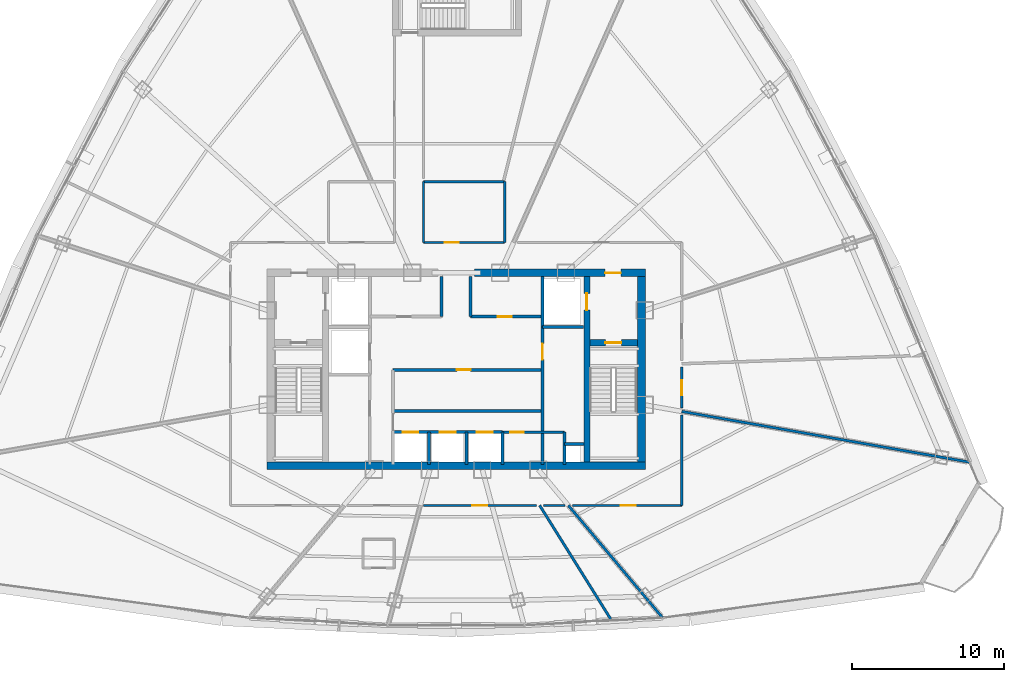
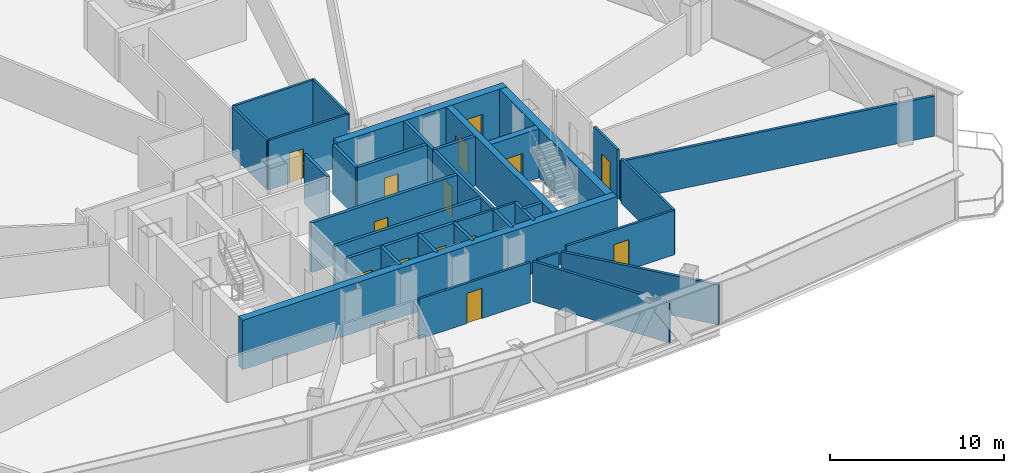
# One storey, part 31 of 37: 32 walls, 14 doors, 14 openings.
"""IFC4 building model written with IfcOpenShell, lengths in metres."""

import ifcopenshell
import ifcopenshell.guid

model = None  # the IFC model being written
_history = None  # IfcOwnerHistory: only IFC2X3 demands one
_inside = {}  # id of a spatial element -> (the spatial element, [elements in it])
_under = {}  # id of a project, library or spatial element -> (it, [spatial elements below it])
_declared = {}  # id of a project -> (the project, [libraries it declares])
_typed = {}  # id of a type object -> (the type object, [elements of that type])
_made_of = {}  # id of a material, layer set ... -> (it, [elements and type objects made of it])


def new_model(schema):
    """Start an empty IFC model of exactly this schema.

    Asked for "IFC4X3", IfcOpenShell would pick the latest addendum, in which some entities
    have other attributes; the version numbers below select the first issue.
    IFC2X3 requires an IfcOwnerHistory on every rooted entity: one is made here for all.
    """
    global model, _history
    if schema == "IFC4X3":
        model = ifcopenshell.file(schema_version=(4, 3, 0, 0))
    else:
        model = ifcopenshell.file(schema=schema)
    _inside.clear()
    _under.clear()
    _declared.clear()
    _typed.clear()
    _made_of.clear()
    _history = None
    if model.schema == "IFC2X3":
        org = make("IfcOrganization", Name="unknown")
        user = make(
            "IfcPersonAndOrganization",
            ThePerson=make("IfcPerson", FamilyName="unknown"),
            TheOrganization=org,
        )
        app = make(
            "IfcApplication",
            ApplicationDeveloper=org,
            Version="unknown",
            ApplicationFullName="unknown",
            ApplicationIdentifier="unknown",
        )
        _history = make(
            "IfcOwnerHistory",
            OwningUser=user,
            OwningApplication=app,
            ChangeAction="ADDED",
            CreationDate=0,
        )
    return model


def make(cls, **values):
    """One entity of the class cls with the attributes given. An attribute that is None is left unset."""
    return model.create_entity(
        cls, **{name: value for name, value in values.items() if value is not None}
    )


def rooted(cls, **values):
    """An entity with a GlobalId (a new one), such as an element, a storey or a relation."""
    return make(cls, GlobalId=ifcopenshell.guid.new(), OwnerHistory=_history, **values)


def si_unit(unit_type, name, prefix=None):
    """IfcSIUnit, for example si_unit("LENGTHUNIT", "METRE", prefix="MILLI")."""
    return make("IfcSIUnit", UnitType=unit_type, Prefix=prefix, Name=name)


def assignment(units):
    """IfcUnitAssignment: the units of a project."""
    return None if units is None else make("IfcUnitAssignment", Units=units)


def point(xyz):
    """IfcCartesianPoint."""
    return None if xyz is None else make("IfcCartesianPoint", Coordinates=xyz)


def direction(xyz):
    """IfcDirection."""
    return None if xyz is None else make("IfcDirection", DirectionRatios=xyz)


def frame(location, z_axis=None, x_axis=None):
    """IfcAxis2Placement3D, a coordinate frame: its origin and axes. An axis left out is left unset."""
    return make(
        "IfcAxis2Placement3D",
        Location=point(location),
        Axis=direction(z_axis),
        RefDirection=direction(x_axis),
    )


def frame_2d(location, x_axis=None):
    """IfcAxis2Placement2D, a coordinate frame in the plane: its origin and x axis."""
    return make(
        "IfcAxis2Placement2D", Location=point(location), RefDirection=direction(x_axis)
    )


def origin():
    """The frame at (0, 0, 0) with its axes left unset."""
    return frame((0.0, 0.0, 0.0))


def origin_with_axes():
    """The frame at (0, 0, 0) with the z axis (0, 0, 1) and the x axis (1, 0, 0) written out."""
    return frame((0.0, 0.0, 0.0), z_axis=(0.0, 0.0, 1.0), x_axis=(1.0, 0.0, 0.0))


def place(relative_to, where):
    """IfcLocalPlacement: puts the frame where relative to a parent placement (None: the world)."""
    return make(
        "IfcLocalPlacement", PlacementRelTo=relative_to, RelativePlacement=where
    )


def context(
    kind, dimensions, precision=None, world=None, true_north=None, identifier=None
):
    """IfcGeometricRepresentationContext, for example the 3D "Model" context."""
    return make(
        "IfcGeometricRepresentationContext",
        ContextIdentifier=identifier,
        ContextType=kind,
        CoordinateSpaceDimension=dimensions,
        Precision=precision,
        WorldCoordinateSystem=world,
        TrueNorth=true_north,
    )


def subcontext(parent, identifier, kind, view, scale=None):
    """IfcGeometricRepresentationSubContext, for example "Body" below "Model"."""
    return make(
        "IfcGeometricRepresentationSubContext",
        ContextIdentifier=identifier,
        ContextType=kind,
        ParentContext=parent,
        TargetScale=scale,
        TargetView=view,
    )


def project(units=None, contexts=None):
    """IfcProject with its units and contexts."""
    return rooted(
        "IfcProject",
        Name="project",
        RepresentationContexts=contexts,
        UnitsInContext=assignment(units),
    )


def spatial(cls, under=None, at=None, **own):
    """A site, building, storey or space (cls), placed at a placement, below another one or the project."""
    s = rooted(cls, ObjectPlacement=at, **own)
    if under is not None:
        _under.setdefault(under.id(), (under, []))[1].append(s)
    return s


def profile(cls, at=None, kind="AREA", **sizes):
    """A parametric profile (cls). Its sizes go by their IFC names, for example OverallWidth=200.0."""
    return make(cls, ProfileType=kind, Position=at, **sizes)


def rectangle(**sizes):
    """IfcRectangleProfileDef."""
    return profile("IfcRectangleProfileDef", **sizes)


def extrude(swept, where, along, depth):
    """IfcExtrudedAreaSolid: the profile swept, set in the frame where, extruded along a direction by depth."""
    return make(
        "IfcExtrudedAreaSolid",
        SweptArea=swept,
        Position=where,
        ExtrudedDirection=direction(along),
        Depth=depth,
    )


def shape(context_of_items, identifier, shape_type, items):
    """IfcShapeRepresentation: the items that make up one representation, for example the "Body"."""
    return make(
        "IfcShapeRepresentation",
        ContextOfItems=context_of_items,
        RepresentationIdentifier=identifier,
        RepresentationType=shape_type,
        Items=items,
    )


def source(mapping_origin, context_of_items, identifier, shape_type, items):
    """IfcRepresentationMap: a shape defined once, which mapped items show again and again."""
    return make(
        "IfcRepresentationMap",
        MappingOrigin=mapping_origin,
        MappedRepresentation=shape(context_of_items, identifier, shape_type, items),
    )


def transform(
    local_origin,
    x_axis=None,
    y_axis=None,
    z_axis=None,
    scale=None,
    scale2=None,
    scale3=None,
    uniform=True,
):
    """IfcCartesianTransformationOperator3D, or its non-uniform kind. x_axis, y_axis, z_axis: its Axis1, 2, 3."""
    if uniform:
        return make(
            "IfcCartesianTransformationOperator3D",
            Axis1=direction(x_axis),
            Axis2=direction(y_axis),
            LocalOrigin=point(local_origin),
            Scale=scale,
            Axis3=direction(z_axis),
        )
    return make(
        "IfcCartesianTransformationOperator3DnonUniform",
        Axis1=direction(x_axis),
        Axis2=direction(y_axis),
        LocalOrigin=point(local_origin),
        Scale=scale,
        Axis3=direction(z_axis),
        Scale2=scale2,
        Scale3=scale3,
    )


def mapped(mapping_source, mapping_target):
    """IfcMappedItem: shows the shape of a source again, moved by a transform."""
    return make(
        "IfcMappedItem", MappingSource=mapping_source, MappingTarget=mapping_target
    )


def material(Name=None, Category=None):
    """IfcMaterial."""
    return make("IfcMaterial", Name=Name, Category=Category)


def layer(
    of_material, thickness, ventilated=None, Name=None, Category=None, Priority=None
):
    """IfcMaterialLayer: one layer of a wall or slab, of a material (None: an air gap)."""
    return make(
        "IfcMaterialLayer",
        Material=of_material,
        LayerThickness=thickness,
        IsVentilated=ventilated,
        Name=Name,
        Category=Category,
        Priority=Priority,
    )


def layer_set(layers, Name=None):
    """IfcMaterialLayerSet."""
    return make("IfcMaterialLayerSet", MaterialLayers=layers, LayerSetName=Name)


def made_of(thing, what):
    """Note that an element or type object is made of a material, layer set ...; save() writes the relation."""
    if what is not None:
        _made_of.setdefault(what.id(), (what, []))[1].append(thing)
    return thing


def type_object(cls, material=None, **own):
    """A type object (cls), such as IfcWallType, which elements share."""
    return made_of(rooted(cls, **own), material)


def element(
    cls,
    number,
    at=None,
    inside=None,
    cuts=None,
    type_object=None,
    material=None,
    context=None,
    identifier="Body",
    shape_type=None,
    held_by="IfcProductDefinitionShape",
    body=None,
    shapes=None,
    **own,
):
    """One element of the class cls, such as IfcWall. Its Tag is "e" and its number.

    at: its placement. inside: the storey or other place that contains it. cuts: it is an
    opening in that element (IfcRelVoidsElement). A single representation is given by context,
    identifier, shape_type and body (its items); several are given by shapes. held_by: the class
    of the entity that holds the representations. save() writes the other relations.
    """
    e = rooted(cls, Tag="e%d" % number, ObjectPlacement=at, **own)
    if body is not None:
        shapes = [shape(context, identifier, shape_type, body)]
    if shapes is not None:
        e.Representation = make(held_by, Representations=shapes)
    if inside is not None:
        _inside.setdefault(inside.id(), (inside, []))[1].append(e)
    if cuts is not None:
        rooted(
            "IfcRelVoidsElement", RelatingBuildingElement=cuts, RelatedOpeningElement=e
        )
    if type_object is not None:
        _typed.setdefault(type_object.id(), (type_object, []))[1].append(e)
    return made_of(e, material)


def fill(opening, filler):
    """IfcRelFillsElement: the door or window that sits in an opening."""
    return rooted(
        "IfcRelFillsElement",
        RelatingOpeningElement=opening,
        RelatedBuildingElement=filler,
    )


def aggregate(whole, parts):
    """IfcRelAggregates: a whole, such as a stair, and the parts it consists of."""
    return rooted("IfcRelAggregates", RelatingObject=whole, RelatedObjects=parts)


def save(model, path):
    """Write the relations noted so far, then the file.

    IfcRelAggregates (storeys below a building ...), IfcRelContainedInSpatialStructure (elements
    in a storey), IfcRelDefinesByType, IfcRelAssociatesMaterial and IfcRelDeclares: one each for
    every whole, place, type object, material and project.
    """
    for whole, parts in _under.values():
        aggregate(whole, parts)
    for where, things in _inside.values():
        rooted(
            "IfcRelContainedInSpatialStructure",
            RelatedElements=things,
            RelatingStructure=where,
        )
    for kind, things in _typed.values():
        rooted("IfcRelDefinesByType", RelatedObjects=things, RelatingType=kind)
    for what, things in _made_of.values():
        rooted("IfcRelAssociatesMaterial", RelatedObjects=things, RelatingMaterial=what)
    for by, libraries in _declared.values():
        rooted("IfcRelDeclares", RelatingContext=by, RelatedDefinitions=libraries)
    model.write(path)


model = new_model("IFC4")

# Units and contexts
model_context = context("Model", 3, precision=1e-05, world=origin(), true_north=direction((0.0, 1.0)))
body_context = subcontext(model_context, "Body", "Model", "MODEL_VIEW")
ifc_project = project(units=[si_unit("LENGTHUNIT", "METRE"), si_unit("AREAUNIT", "SQUARE_METRE"), si_unit("VOLUMEUNIT", "CUBIC_METRE"), si_unit("PLANEANGLEUNIT", "RADIAN"), si_unit("MASSUNIT", "GRAM", prefix="KILO"), si_unit("THERMODYNAMICTEMPERATUREUNIT", "KELVIN"), si_unit("POWERUNIT", "WATT")], contexts=[model_context])

# Site, building, storey
site_placement = place(None, origin())
site = spatial("IfcSite", under=ifc_project, at=site_placement, CompositionType="ELEMENT")
building_placement = place(site_placement, origin())
building = spatial("IfcBuilding", under=site, at=building_placement, Name="Yunzhuo Pagoda Commons", CompositionType="ELEMENT")
storey_placement = place(building_placement, frame((0.0, 0.0, 259.449951171875)))
storey = spatial("IfcBuildingStorey", under=building, at=storey_placement, Name="L65", CompositionType="ELEMENT", Elevation=259.449951171875)

# Wall
ifc_material_1 = material(Name="Concrete C50", Category="concrete")
ifc_layer_1 = layer(ifc_material_1, 0.5)
ifc_layer_set_1 = layer_set([ifc_layer_1], Name="Concrete C50")
wall_type_1 = type_object("IfcWallType", Name="W-C03 Upper Core Shear Wall 500", PredefinedType="SHEAR", material=ifc_layer_set_1)
wall_1_placement = place(storey_placement, frame((35.550048828125, 27.5, 0.0), z_axis=(0.0, 0.0, 1.0), x_axis=(1.0, 0.0, 0.0)))
element("IfcWall", 1, at=wall_1_placement, inside=storey, type_object=wall_type_1, Name="L65 core shear wall S", PredefinedType="SHEAR", context=body_context, shape_type="SweptSolid", body=[
    extrude(rectangle(XDim=24.89990234375, YDim=0.5, at=frame_2d((12.449951171875, 0.0))), origin(), (0.0, 0.0, 1.0), 3.469970703125),
])

# Wall, opening, door
wall_2_placement = place(storey_placement, frame((49.199951171875, 40.199951171875, 0.0), z_axis=(0.0, 0.0, 1.0), x_axis=(1.0, 0.0, 0.0)))
wall_2 = element("IfcWall", 2, at=wall_2_placement, inside=storey, type_object=wall_type_1, Name="L65 core shear wall NE", PredefinedType="SHEAR", context=body_context, shape_type="SweptSolid", body=[
    extrude(rectangle(XDim=11.25, YDim=0.5, at=frame_2d((5.625, 0.0))), origin(), (0.0, 0.0, 1.0), 3.469970703125),
])
opening_1_placement = place(wall_2_placement, frame((8.60009765625, 0.0, 0.0)))
opening_1 = element("IfcOpeningElement", 3, at=opening_1_placement, cuts=wall_2, Name="Opening D-02", PredefinedType="OPENING", context=body_context, shape_type="SweptSolid", body=[
    extrude(rectangle(XDim=1.050048828125, YDim=2.10009765625, at=frame_2d((0.52490234375, 1.050048828125))), frame((0.0, 0.260009765625, 0.0), z_axis=(0.0, -1.0, 0.0), x_axis=(1.0, 0.0, 0.0)), (0.0, 0.0, 1.0), 0.52001953125),
])
ifc_material_2 = material(Name="Galvanized fire-resisting metal leaf")
door_type_1 = type_object("IfcDoorType", Name="D-02 Firefighting Lobby & Refuge Fire Door 1050x2100", OperationType="NOTDEFINED", PredefinedType="DOOR", material=ifc_material_2)
shared_shape_1 = source(origin(), body_context, "Body", "SweptSolid", [
    extrude(rectangle(XDim=1.050048828125, YDim=2.10009765625, at=frame_2d((0.52490234375, 1.050048828125))), frame((0.0, 0.02490234375, 0.0), z_axis=(0.0, -1.0, 0.0), x_axis=(1.0, 0.0, 0.0)), (0.0, 0.0, 1.0), 0.050048828125),
])
door_1_placement = place(opening_1_placement, frame((1.050048828125, 0.0, 0.0), z_axis=(0.0, 0.0, 1.0), x_axis=(-1.0, 0.0, 0.0)))
door_1 = element("IfcDoor", 4, at=door_1_placement, inside=storey, type_object=door_type_1, Name="L65 Firefighting Lobby 2 fire door", OperationType="SINGLE_SWING_RIGHT", OverallHeight=2.10009765625, OverallWidth=1.050048828125, PredefinedType="DOOR", context=body_context, shape_type="MappedRepresentation", body=[
    mapped(shared_shape_1, transform((0.0, 0.0, 0.0), scale=1.0)),
])
fill(opening_1, door_1)

# Wall
wall_3_placement = place(storey_placement, frame((60.199951171875, 27.75, 0.0), z_axis=(0.0, 0.0, 1.0), x_axis=(0.0, 1.0, 0.0)))
element("IfcWall", 5, at=wall_3_placement, inside=storey, type_object=wall_type_1, Name="L65 core shear wall E", PredefinedType="SHEAR", context=body_context, shape_type="SweptSolid", body=[
    extrude(rectangle(XDim=12.199951171875, YDim=0.5, at=frame_2d((6.10009765625, 0.0))), origin(), (0.0, 0.0, 1.0), 3.469970703125),
])

# Wall, opening, door
ifc_material_3 = material(Name="Gypsum plasterboard on acoustic stud")
ifc_layer_2 = layer(ifc_material_3, 0.14990234375)
ifc_layer_set_2 = layer_set([ifc_layer_2], Name="Gypsum plasterboard on acoustic stud")
wall_type_2 = type_object("IfcWallType", Name="W-COR3 High-Zone Rated Corridor Wall 150", PredefinedType="PARTITIONING", material=ifc_layer_set_2)
wall_4_placement = place(storey_placement, frame((51.050048828125, 29.719970703125, 0.0), z_axis=(0.0, 0.0, 1.0), x_axis=(1.0, 0.0, 0.0)))
wall_4 = element("IfcWall", 6, at=wall_4_placement, inside=storey, type_object=wall_type_2, Name="L65 interior wall IW-L65-CSES", PredefinedType="PARTITIONING", context=body_context, shape_type="SweptSolid", body=[
    extrude(rectangle(XDim=4.070068359375, YDim=0.14990234375, at=frame_2d((2.03515625, 0.0))), origin(), (0.0, 0.0, 1.0), 3.469970703125),
])
opening_2_placement = place(wall_4_placement, frame((0.5, 0.0, 0.0)))
opening_2 = element("IfcOpeningElement", 7, at=opening_2_placement, cuts=wall_4, Name="Opening D-03", PredefinedType="OPENING", context=body_context, shape_type="SweptSolid", body=[
    extrude(rectangle(XDim=0.89990234375, YDim=2.10009765625, at=frame_2d((0.449951171875, 1.050048828125))), frame((0.0, 0.0849609375, 0.0), z_axis=(0.0, -1.0, 0.0), x_axis=(1.0, 0.0, 0.0)), (0.0, 0.0, 1.0), 0.169921875),
])
door_type_2 = type_object("IfcDoorType", Name="D-03 Core Service Fire Door 900x2100", OperationType="NOTDEFINED", PredefinedType="DOOR", material=ifc_material_2)
shared_shape_2 = source(origin(), body_context, "Body", "SweptSolid", [
    extrude(rectangle(XDim=0.89990234375, YDim=2.10009765625, at=frame_2d((0.449951171875, 1.050048828125))), frame((0.0, 0.02490234375, 0.0), z_axis=(0.0, -1.0, 0.0), x_axis=(1.0, 0.0, 0.0)), (0.0, 0.0, 1.0), 0.050048828125),
])
door_2_placement = place(opening_2_placement, origin_with_axes())
door_2 = element("IfcDoor", 8, at=door_2_placement, inside=storey, type_object=door_type_2, Name="L65 cleaner store door", OperationType="SINGLE_SWING_LEFT", OverallHeight=2.10009765625, OverallWidth=0.89990234375, PredefinedType="DOOR", context=body_context, shape_type="MappedRepresentation", body=[
    mapped(shared_shape_2, transform((0.0, 0.0, 0.0), scale=1.0)),
])
fill(opening_2, door_2)

wall_5_placement = place(storey_placement, frame((45.85009765625, 42.199951171875, 0.0), z_axis=(0.0, 0.0, 1.0), x_axis=(1.0, 0.0, 0.0)))
wall_5 = element("IfcWall", 9, at=wall_5_placement, inside=storey, type_object=wall_type_2, Name="L65 interior wall IW-L65-TFES", PredefinedType="PARTITIONING", context=body_context, shape_type="SweptSolid", body=[
    extrude(rectangle(XDim=5.349853515625, YDim=0.14990234375, at=frame_2d((2.6748046875, 0.0))), origin(), (0.0, 0.0, 1.0), 3.469970703125),
])
opening_3_placement = place(wall_5_placement, frame((1.39990234375, 0.0, 0.0)))
opening_3 = element("IfcOpeningElement", 10, at=opening_3_placement, cuts=wall_5, Name="Opening D-11", PredefinedType="OPENING", context=body_context, shape_type="SweptSolid", body=[
    extrude(rectangle(XDim=0.93994140625, YDim=2.10009765625, at=frame_2d((0.469970703125, 1.050048828125))), frame((0.0, 0.0849609375, 0.0), z_axis=(0.0, -1.0, 0.0), x_axis=(1.0, 0.0, 0.0)), (0.0, 0.0, 1.0), 0.169921875),
])
door_type_3 = type_object("IfcDoorType", Name="D-11 Accessible Washroom Fire Door 940x2100", OperationType="NOTDEFINED", PredefinedType="DOOR", material=ifc_material_2)
shared_shape_3 = source(origin(), body_context, "Body", "SweptSolid", [
    extrude(rectangle(XDim=0.93994140625, YDim=2.10009765625, at=frame_2d((0.469970703125, 1.050048828125))), frame((0.0, 0.02490234375, 0.0), z_axis=(0.0, -1.0, 0.0), x_axis=(1.0, 0.0, 0.0)), (0.0, 0.0, 1.0), 0.050048828125),
])
door_3_placement = place(opening_3_placement, frame((0.93994140625, 0.0, 0.0), z_axis=(0.0, 0.0, 1.0), x_axis=(-1.0, 0.0, 0.0)))
door_3 = element("IfcDoor", 11, at=door_3_placement, inside=storey, type_object=door_type_3, Name="L65 accessible WC door", OperationType="SINGLE_SWING_RIGHT", OverallHeight=2.10009765625, OverallWidth=0.93994140625, PredefinedType="DOOR", context=body_context, shape_type="MappedRepresentation", body=[
    mapped(shared_shape_3, transform((0.0, 0.0, 0.0), scale=1.0)),
])
fill(opening_3, door_3)

# Walls
wall_6_placement = place(storey_placement, frame((45.85009765625, 46.199951171875, 0.0), z_axis=(0.0, 0.0, 1.0), x_axis=(1.0, 0.0, 0.0)))
element("IfcWall", 12, at=wall_6_placement, inside=storey, type_object=wall_type_2, Name="L65 interior wall IW-L65-TFEN", PredefinedType="PARTITIONING", context=body_context, shape_type="SweptSolid", body=[
    extrude(rectangle(XDim=5.349853515625, YDim=0.14990234375, at=frame_2d((2.6748046875, 0.0))), origin(), (0.0, 0.0, 1.0), 3.469970703125),
])
for number, where, z_axis, x_axis, name in (
    (13, (45.85009765625, 42.199951171875, 0.0), (0.0, 0.0, 1.0), (0.0, 1.0, 0.0), "L65 interior wall IW-L65-TFEW"),
    (14, (51.199951171875, 42.199951171875, 0.0), (0.0, 0.0, 1.0), (0.0, 1.0, 0.0), "L65 interior wall IW-L65-TFEE"),
):
    element("IfcWall", number, at=place(storey_placement, frame(where, z_axis=z_axis, x_axis=x_axis)), inside=storey, type_object=wall_type_2, Name=name, PredefinedType="PARTITIONING", context=body_context, shape_type="SweptSolid", body=[
        extrude(rectangle(XDim=4.0, YDim=0.14990234375, at=frame_2d((2.0, 0.0))), origin(), (0.0, 0.0, 1.0), 3.469970703125),
    ])

# Wall, opening, door
wall_7_placement = place(storey_placement, frame((62.85009765625, 33.998779296875, 0.0), z_axis=(0.0, 0.0, 1.0), x_axis=(0.0, -1.0, 0.0)))
wall_7 = element("IfcWall", 15, at=wall_7_placement, inside=storey, type_object=wall_type_2, Name="L65 interior wall IW-L65-CWL11", PredefinedType="PARTITIONING", context=body_context, shape_type="SweptSolid", body=[
    extrude(rectangle(XDim=2.697509765625, YDim=0.14990234375, at=frame_2d((1.3486328125, 0.0))), origin(), (0.0, 0.0, 1.0), 3.469970703125),
])
opening_4_placement = place(wall_7_placement, frame((0.873779296875, 0.0, 0.0)))
opening_4 = element("IfcOpeningElement", 16, at=opening_4_placement, cuts=wall_7, Name="Opening D-08", PredefinedType="OPENING", context=body_context, shape_type="SweptSolid", body=[
    extrude(rectangle(XDim=0.97998046875, YDim=2.1201171875, at=frame_2d((0.489990234375, 1.06005859375))), frame((0.0, 0.0849609375, 0.0), z_axis=(0.0, -1.0, 0.0), x_axis=(1.0, 0.0, 0.0)), (0.0, 0.0, 1.0), 0.169921875),
])
door_type_4 = type_object("IfcDoorType", Name="D-08 High-Zone Suite Entrance Fire Door 980x2120", OperationType="NOTDEFINED", PredefinedType="DOOR", material=ifc_material_2)
shared_shape_4 = source(origin(), body_context, "Body", "SweptSolid", [
    extrude(rectangle(XDim=0.97998046875, YDim=2.1201171875, at=frame_2d((0.489990234375, 1.06005859375))), frame((0.0, 0.02490234375, 0.0), z_axis=(0.0, -1.0, 0.0), x_axis=(1.0, 0.0, 0.0)), (0.0, 0.0, 1.0), 0.050048828125),
])
door_4_placement = place(opening_4_placement, origin_with_axes())
door_4 = element("IfcDoor", 17, at=door_4_placement, inside=storey, type_object=door_type_4, Name="L65 unit 13 entrance door", OperationType="SINGLE_SWING_LEFT", OverallHeight=2.1201171875, OverallWidth=0.97998046875, PredefinedType="DOOR", context=body_context, shape_type="MappedRepresentation", body=[
    mapped(shared_shape_4, transform((0.0, 0.0, 0.0), scale=1.0)),
])
fill(opening_4, door_4)

# Wall
wall_8_placement = place(storey_placement, frame((62.85009765625, 30.858154296875, 0.0), z_axis=(0.0, 0.0, 1.0), x_axis=(0.0, -1.0, 0.0)))
element("IfcWall", 18, at=wall_8_placement, inside=storey, type_object=wall_type_2, Name="L65 interior wall IW-L65-CWL12", PredefinedType="PARTITIONING", context=body_context, shape_type="SweptSolid", body=[
    extrude(rectangle(XDim=5.958251953125, YDim=0.14990234375, at=frame_2d((2.97900390625, 0.0))), origin(), (0.0, 0.0, 1.0), 3.1201171875),
])

# Wall, opening, door
wall_9_placement = place(storey_placement, frame((62.85009765625, 24.89990234375, 0.0), z_axis=(0.0, 0.0, 1.0), x_axis=(-1.0, 0.0, 0.0)))
wall_9 = element("IfcWall", 19, at=wall_9_placement, inside=storey, type_object=wall_type_2, Name="L65 interior wall IW-L65-CWL13", PredefinedType="PARTITIONING", context=body_context, shape_type="SweptSolid", body=[
    extrude(rectangle(XDim=7.1787109375, YDim=0.14990234375, at=frame_2d((3.58935546875, 0.0))), origin(), (0.0, 0.0, 1.0), 3.1201171875),
])
opening_5_placement = place(wall_9_placement, frame((3.028076171875, 0.0, 0.0)))
opening_5 = element("IfcOpeningElement", 20, at=opening_5_placement, cuts=wall_9, Name="Opening D-08", PredefinedType="OPENING", context=body_context, shape_type="SweptSolid", body=[
    extrude(rectangle(XDim=0.97998046875, YDim=2.1201171875, at=frame_2d((0.489990234375, 1.06005859375))), frame((0.0, 0.0849609375, 0.0), z_axis=(0.0, -1.0, 0.0), x_axis=(1.0, 0.0, 0.0)), (0.0, 0.0, 1.0), 0.169921875),
])
door_5_placement = place(opening_5_placement, origin_with_axes())
door_5 = element("IfcDoor", 21, at=door_5_placement, inside=storey, type_object=door_type_4, Name="L65 unit 12 entrance door", OperationType="SINGLE_SWING_RIGHT", OverallHeight=2.1201171875, OverallWidth=0.97998046875, PredefinedType="DOOR", context=body_context, shape_type="MappedRepresentation", body=[
    mapped(shared_shape_4, transform((0.0, 0.0, 0.0), scale=1.0)),
])
fill(opening_5, door_5)

# Wall
wall_10_placement = place(storey_placement, frame((55.164306640625, 24.89990234375, 0.0), z_axis=(0.0, 0.0, 1.0), x_axis=(-1.0, 0.0, 0.0)))
element("IfcWall", 22, at=wall_10_placement, inside=storey, type_object=wall_type_2, Name="L65 interior wall IW-L65-CWL14", PredefinedType="PARTITIONING", context=body_context, shape_type="SweptSolid", body=[
    extrude(rectangle(XDim=1.406005859375, YDim=0.14990234375, at=frame_2d((0.703125, 0.0))), origin(), (0.0, 0.0, 1.0), 2.820068359375),
])

# Wall, opening, door
wall_11_placement = place(storey_placement, frame((53.279052734375, 24.89990234375, 0.0), z_axis=(0.0, 0.0, 1.0), x_axis=(-1.0, 0.0, 0.0)))
wall_11 = element("IfcWall", 23, at=wall_11_placement, inside=storey, type_object=wall_type_2, Name="L65 interior wall IW-L65-CWL15", PredefinedType="PARTITIONING", context=body_context, shape_type="SweptSolid", body=[
    extrude(rectangle(XDim=7.417236328125, YDim=0.14990234375, at=frame_2d((3.70849609375, 0.0))), origin(), (0.0, 0.0, 1.0), 2.820068359375),
])
opening_6_placement = place(wall_11_placement, frame((3.233642578125, 0.0, 0.0)))
opening_6 = element("IfcOpeningElement", 24, at=opening_6_placement, cuts=wall_11, Name="Opening D-08", PredefinedType="OPENING", context=body_context, shape_type="SweptSolid", body=[
    extrude(rectangle(XDim=0.97998046875, YDim=2.1201171875, at=frame_2d((0.489990234375, 1.06005859375))), frame((0.0, 0.0849609375, 0.0), z_axis=(0.0, -1.0, 0.0), x_axis=(1.0, 0.0, 0.0)), (0.0, 0.0, 1.0), 0.169921875),
])
door_6_placement = place(opening_6_placement, origin_with_axes())
door_6 = element("IfcDoor", 25, at=door_6_placement, inside=storey, type_object=door_type_4, Name="L65 Academic Reading Commons 2 door", OperationType="SINGLE_SWING_RIGHT", OverallHeight=2.1201171875, OverallWidth=0.97998046875, PredefinedType="DOOR", context=body_context, shape_type="MappedRepresentation", body=[
    mapped(shared_shape_4, transform((0.0, 0.0, 0.0), scale=1.0)),
])
fill(opening_6, door_6)

# Walls
ifc_layer_3 = layer(ifc_material_3, 0.169921875)
ifc_layer_set_3 = layer_set([ifc_layer_3], Name="Gypsum plasterboard on acoustic stud")
wall_type_3 = type_object("IfcWallType", Name="W-PRT4 High-Zone Demising Wall 170", PredefinedType="PARTITIONING", material=ifc_layer_set_3)
wall_12_placement = place(storey_placement, frame((53.498779296875, 24.89990234375, 0.0), z_axis=(0.0, 0.0, 1.0), x_axis=(0.529920411872, -0.848047379031, 0.0)))
element("IfcWall", 26, at=wall_12_placement, inside=storey, type_object=wall_type_3, Name="L65 interior wall IW-L65-RAD11", PredefinedType="PARTITIONING", context=body_context, shape_type="SweptSolid", body=[
    extrude(rectangle(XDim=8.94287109375, YDim=0.169921875, at=frame_2d((4.471435546875, 0.0))), origin(), (0.0, 0.0, 1.0), 2.820068359375),
])
wall_13_placement = place(storey_placement, frame((55.384033203125, 24.89990234375, 0.0), z_axis=(0.0, 0.0, 1.0), x_axis=(0.642795010628, -0.766038232931, 0.0)))
element("IfcWall", 27, at=wall_13_placement, inside=storey, type_object=wall_type_3, Name="L65 interior wall IW-L65-RAD12", PredefinedType="PARTITIONING", context=body_context, shape_type="SweptSolid", body=[
    extrude(rectangle(XDim=9.6630859375, YDim=0.169921875, at=frame_2d((4.83154296875, 0.0))), origin(), (0.0, 0.0, 1.0), 2.820068359375),
])
wall_14_placement = place(storey_placement, frame((62.85009765625, 31.08154296875, 0.0), z_axis=(0.0, 0.0, 1.0), x_axis=(0.984808346381, -0.173644812474, 0.0)))
element("IfcWall", 28, at=wall_14_placement, inside=storey, type_object=wall_type_3, Name="L65 interior wall IW-L65-RAD13", PredefinedType="PARTITIONING", context=body_context, shape_type="SweptSolid", body=[
    extrude(rectangle(XDim=19.22802734375, YDim=0.169921875, at=frame_2d((9.614013671875, 0.0))), origin(), (0.0, 0.0, 1.0), 2.820068359375),
])

# Wall, opening, door
ifc_material_4 = material(Name="Concrete C60", Category="concrete")
ifc_layer_4 = layer(ifc_material_4, 0.39990234375)
ifc_layer_set_4 = layer_set([ifc_layer_4], Name="Concrete C60")
wall_type_4 = type_object("IfcWallType", Name="W-S01 Internal Core Shear Web 400", PredefinedType="SHEAR", material=ifc_layer_set_4)
wall_15_placement = place(storey_placement, frame((56.60009765625, 27.75, 0.0), z_axis=(0.0, 0.0, 1.0), x_axis=(0.0, 1.0, 0.0)))
wall_15 = element("IfcWall", 29, at=wall_15_placement, inside=storey, type_object=wall_type_4, Name="L65 core shear wall WEBE", PredefinedType="SHEAR", context=body_context, shape_type="SweptSolid", body=[
    extrude(rectangle(XDim=12.199951171875, YDim=0.39990234375, at=frame_2d((6.10009765625, 0.0))), origin(), (0.0, 0.0, 1.0), 3.469970703125),
])
opening_7_placement = place(wall_15_placement, frame((10.0, 0.0, 0.0)))
opening_7 = element("IfcOpeningElement", 30, at=opening_7_placement, cuts=wall_15, Name="Opening LD-01", PredefinedType="OPENING", context=body_context, shape_type="SweptSolid", body=[
    extrude(rectangle(XDim=1.10009765625, YDim=2.10009765625, at=frame_2d((0.550048828125, 1.050048828125))), frame((0.0, 0.2099609375, 0.0), z_axis=(0.0, -1.0, 0.0), x_axis=(1.0, 0.0, 0.0)), (0.0, 0.0, 1.0), 0.419921875),
])
door_type_5 = type_object("IfcDoorType", Name="LD-01 Firefighting Lift Landing Door 1100x2100", OperationType="DOUBLE_DOOR_SLIDING", PredefinedType="DOOR", material=ifc_material_2)
shared_shape_5 = source(origin(), body_context, "Body", "SweptSolid", [
    extrude(rectangle(XDim=1.10009765625, YDim=2.10009765625, at=frame_2d((0.550048828125, 1.050048828125))), frame((0.0, 0.02490234375, 0.0), z_axis=(0.0, -1.0, 0.0), x_axis=(1.0, 0.0, 0.0)), (0.0, 0.0, 1.0), 0.050048828125),
])
door_7_placement = place(opening_7_placement, origin_with_axes())
door_7 = element("IfcDoor", 31, at=door_7_placement, inside=storey, type_object=door_type_5, Name="L65 Firefighting lift FL-2 landing door", OperationType="DOUBLE_DOOR_SLIDING", OverallHeight=2.10009765625, OverallWidth=1.10009765625, PredefinedType="DOOR", context=body_context, shape_type="MappedRepresentation", body=[
    mapped(shared_shape_5, transform((0.0, 0.0, 0.0), scale=1.0)),
])
fill(opening_7, door_7)

wall_16_placement = place(storey_placement, frame((56.800048828125, 35.60009765625, 0.0), z_axis=(0.0, 0.0, 1.0), x_axis=(1.0, 0.0, 0.0)))
wall_16 = element("IfcWall", 32, at=wall_16_placement, inside=storey, type_object=wall_type_4, Name="L65 core shear wall STE", PredefinedType="SHEAR", context=body_context, shape_type="SweptSolid", body=[
    extrude(rectangle(XDim=3.14990234375, YDim=0.39990234375, at=frame_2d((1.574951171875, 0.0))), origin(), (0.0, 0.0, 1.0), 3.469970703125),
])
opening_8_placement = place(wall_16_placement, frame((1.02001953125, 0.0, 0.0)))
opening_8 = element("IfcOpeningElement", 33, at=opening_8_placement, cuts=wall_16, Name="Opening D-01", PredefinedType="OPENING", context=body_context, shape_type="SweptSolid", body=[
    extrude(rectangle(XDim=1.050048828125, YDim=2.10009765625, at=frame_2d((0.52490234375, 1.050048828125))), frame((0.0, 0.2099609375, 0.0), z_axis=(0.0, -1.0, 0.0), x_axis=(1.0, 0.0, 0.0)), (0.0, 0.0, 1.0), 0.419921875),
])
door_type_6 = type_object("IfcDoorType", Name="D-01 Smokeproof Stair Fire Door 1050x2100", OperationType="NOTDEFINED", PredefinedType="DOOR", material=ifc_material_2)
door_8_placement = place(opening_8_placement, frame((1.050048828125, 0.0, 0.0), z_axis=(0.0, 0.0, 1.0), x_axis=(-1.0, 0.0, 0.0)))
door_8 = element("IfcDoor", 34, at=door_8_placement, inside=storey, type_object=door_type_6, Name="L65 Stair ST2 fire door", OperationType="SINGLE_SWING_RIGHT", OverallHeight=2.10009765625, OverallWidth=1.050048828125, PredefinedType="DOOR", context=body_context, shape_type="MappedRepresentation", body=[
    mapped(shared_shape_1, transform((0.0, 0.0, 0.0), scale=1.0)),
])
fill(opening_8, door_8)

# Walls
ifc_material_5 = material(Name="Concrete C40", Category="concrete")
ifc_layer_5 = layer(ifc_material_5, 0.199951171875)
ifc_layer_set_5 = layer_set([ifc_layer_5], Name="Concrete C40")
wall_type_5 = type_object("IfcWallType", Name="W-SHF Shaft & Stair Enclosure Wall 200", PredefinedType="SOLIDWALL", material=ifc_layer_set_5)
wall_17_placement = place(storey_placement, frame((53.679931640625, 36.64990234375, 0.0), z_axis=(0.0, 0.0, 1.0), x_axis=(0.0, 1.0, 0.0)))
element("IfcWall", 35, at=wall_17_placement, inside=storey, type_object=wall_type_5, Name="L65 interior wall IW-L65-FL2W", PredefinedType="SOLIDWALL", context=body_context, shape_type="SweptSolid", body=[
    extrude(rectangle(XDim=3.300048828125, YDim=0.199951171875, at=frame_2d((1.64990234375, 0.0))), origin(), (0.0, 0.0, 1.0), 3.469970703125),
])
wall_18_placement = place(storey_placement, frame((53.679931640625, 36.64990234375, 0.0), z_axis=(0.0, 0.0, 1.0), x_axis=(1.0, 0.0, 0.0)))
element("IfcWall", 36, at=wall_18_placement, inside=storey, type_object=wall_type_5, Name="L65 interior wall IW-L65-FL2S", PredefinedType="SOLIDWALL", context=body_context, shape_type="SweptSolid", body=[
    extrude(rectangle(XDim=2.719970703125, YDim=0.199951171875, at=frame_2d((1.35986328125, 0.0))), origin(), (0.0, 0.0, 1.0), 3.469970703125),
])

# Wall, opening, door
wall_19_placement = place(storey_placement, frame((48.949951171875, 37.320068359375, 0.0), z_axis=(0.0, 0.0, 1.0), x_axis=(1.0, 0.0, 0.0)))
wall_19 = element("IfcWall", 37, at=wall_19_placement, inside=storey, type_object=wall_type_5, Name="L65 interior wall IW-L65-LBNE", PredefinedType="SOLIDWALL", context=body_context, shape_type="SweptSolid", body=[
    extrude(rectangle(XDim=4.72998046875, YDim=0.199951171875, at=frame_2d((2.364990234375, 0.0))), origin(), (0.0, 0.0, 1.0), 3.469970703125),
])
opening_9_placement = place(wall_19_placement, frame((1.800048828125, 0.0, 0.0)))
opening_9 = element("IfcOpeningElement", 38, at=opening_9_placement, cuts=wall_19, Name="Opening D-03", PredefinedType="OPENING", context=body_context, shape_type="SweptSolid", body=[
    extrude(rectangle(XDim=0.89990234375, YDim=2.10009765625, at=frame_2d((0.449951171875, 1.050048828125))), frame((0.0, 0.10986328125, 0.0), z_axis=(0.0, -1.0, 0.0), x_axis=(1.0, 0.0, 0.0)), (0.0, 0.0, 1.0), 0.219970703125),
])
door_9_placement = place(opening_9_placement, frame((0.89990234375, 0.0, 0.0), z_axis=(0.0, 0.0, 1.0), x_axis=(-1.0, 0.0, 0.0)))
door_9 = element("IfcDoor", 39, at=door_9_placement, inside=storey, type_object=door_type_2, Name="L65 core east store door", OperationType="SINGLE_SWING_RIGHT", OverallHeight=2.10009765625, OverallWidth=0.89990234375, PredefinedType="DOOR", context=body_context, shape_type="MappedRepresentation", body=[
    mapped(shared_shape_2, transform((0.0, 0.0, 0.0), scale=1.0)),
])
fill(opening_9, door_9)

# Walls
for number, where, z_axis, x_axis, name in (
    (40, (47.050048828125, 37.320068359375, 0.0), (0.0, 0.0, 1.0), (0.0, 1.0, 0.0), "L65 interior wall IW-L65-THRW"),
    (41, (48.949951171875, 37.320068359375, 0.0), (0.0, 0.0, 1.0), (0.0, 1.0, 0.0), "L65 interior wall IW-L65-THRE"),
):
    element("IfcWall", number, at=place(storey_placement, frame(where, z_axis=z_axis, x_axis=x_axis)), inside=storey, type_object=wall_type_5, Name=name, PredefinedType="SOLIDWALL", context=body_context, shape_type="SweptSolid", body=[
        extrude(rectangle(XDim=2.6298828125, YDim=0.199951171875, at=frame_2d((1.31494140625, 0.0))), origin(), (0.0, 0.0, 1.0), 3.469970703125),
    ])

# Wall, opening, door
wall_20_placement = place(storey_placement, frame((43.85009765625, 33.820068359375, 0.0), z_axis=(0.0, 0.0, 1.0), x_axis=(1.0, 0.0, 0.0)))
wall_20 = element("IfcWall", 42, at=wall_20_placement, inside=storey, type_object=wall_type_5, Name="L65 interior wall IW-L65-MLBS", PredefinedType="SOLIDWALL", context=body_context, shape_type="SweptSolid", body=[
    extrude(rectangle(XDim=9.829833984375, YDim=0.199951171875, at=frame_2d((4.9150390625, 0.0))), origin(), (0.0, 0.0, 1.0), 3.469970703125),
])
opening_10_placement = place(wall_20_placement, frame((4.199951171875, 0.0, 0.0)))
opening_10 = element("IfcOpeningElement", 43, at=opening_10_placement, cuts=wall_20, Name="Opening D-03", PredefinedType="OPENING", context=body_context, shape_type="SweptSolid", body=[
    extrude(rectangle(XDim=0.89990234375, YDim=2.10009765625, at=frame_2d((0.449951171875, 1.050048828125))), frame((0.0, 0.10986328125, 0.0), z_axis=(0.0, -1.0, 0.0), x_axis=(1.0, 0.0, 0.0)), (0.0, 0.0, 1.0), 0.219970703125),
])
door_10_placement = place(opening_10_placement, origin_with_axes())
door_10 = element("IfcDoor", 44, at=door_10_placement, inside=storey, type_object=door_type_2, Name="L65 core archive store door", OperationType="SINGLE_SWING_LEFT", OverallHeight=2.10009765625, OverallWidth=0.89990234375, PredefinedType="DOOR", context=body_context, shape_type="MappedRepresentation", body=[
    mapped(shared_shape_2, transform((0.0, 0.0, 0.0), scale=1.0)),
])
fill(opening_10, door_10)

wall_21_placement = place(storey_placement, frame((53.679931640625, 27.60009765625, 0.0), z_axis=(0.0, 0.0, 1.0), x_axis=(0.0, 1.0, 0.0)))
wall_21 = element("IfcWall", 45, at=wall_21_placement, inside=storey, type_object=wall_type_5, Name="L65 interior wall IW-L65-PLME", PredefinedType="SOLIDWALL", context=body_context, shape_type="SweptSolid", body=[
    extrude(rectangle(XDim=9.0498046875, YDim=0.199951171875, at=frame_2d((4.52490234375, 0.0))), origin(), (0.0, 0.0, 1.0), 3.469970703125),
])
opening_11_placement = place(wall_21_placement, frame((6.89990234375, 0.0, 0.0)))
opening_11 = element("IfcOpeningElement", 46, at=opening_11_placement, cuts=wall_21, Name="Opening D-02", PredefinedType="OPENING", context=body_context, shape_type="SweptSolid", body=[
    extrude(rectangle(XDim=1.050048828125, YDim=2.10009765625, at=frame_2d((0.52490234375, 1.050048828125))), frame((0.0, 0.10986328125, 0.0), z_axis=(0.0, -1.0, 0.0), x_axis=(1.0, 0.0, 0.0)), (0.0, 0.0, 1.0), 0.219970703125),
])
door_11_placement = place(opening_11_placement, origin_with_axes())
door_11 = element("IfcDoor", 47, at=door_11_placement, inside=storey, type_object=door_type_1, Name="L65 High-bank lift hall door", OperationType="SINGLE_SWING_RIGHT", OverallHeight=2.10009765625, OverallWidth=1.050048828125, PredefinedType="DOOR", context=body_context, shape_type="MappedRepresentation", body=[
    mapped(shared_shape_1, transform((0.0, 0.0, 0.0), scale=1.0)),
])
fill(opening_11, door_11)

# Wall, openings, doors
wall_22_placement = place(storey_placement, frame((43.85009765625, 29.719970703125, 0.0), z_axis=(0.0, 0.0, 1.0), x_axis=(1.0, 0.0, 0.0)))
wall_22 = element("IfcWall", 48, at=wall_22_placement, inside=storey, type_object=wall_type_5, Name="L65 interior wall IW-L65-PLHN", PredefinedType="SOLIDWALL", context=body_context, shape_type="SweptSolid", body=[
    extrude(rectangle(XDim=7.199951171875, YDim=0.199951171875, at=frame_2d((3.60009765625, 0.0))), origin(), (0.0, 0.0, 1.0), 3.469970703125),
])
opening_12_placement = place(wall_22_placement, frame((0.625, 0.0, 0.0)))
opening_12 = element("IfcOpeningElement", 49, at=opening_12_placement, cuts=wall_22, Name="Opening LD-02", PredefinedType="OPENING", context=body_context, shape_type="SweptSolid", body=[
    extrude(rectangle(XDim=1.050048828125, YDim=2.10009765625, at=frame_2d((0.52490234375, 1.050048828125))), frame((0.0, 0.10986328125, 0.0), z_axis=(0.0, -1.0, 0.0), x_axis=(1.0, 0.0, 0.0)), (0.0, 0.0, 1.0), 0.219970703125),
])
opening_13_placement = place(wall_22_placement, frame((3.074951171875, 0.0, 0.0)))
opening_13 = element("IfcOpeningElement", 50, at=opening_13_placement, cuts=wall_22, Name="Opening LD-02", PredefinedType="OPENING", context=body_context, shape_type="SweptSolid", body=[
    extrude(rectangle(XDim=1.050048828125, YDim=2.10009765625, at=frame_2d((0.52490234375, 1.050048828125))), frame((0.0, 0.10986328125, 0.0), z_axis=(0.0, -1.0, 0.0), x_axis=(1.0, 0.0, 0.0)), (0.0, 0.0, 1.0), 0.219970703125),
])
opening_14_placement = place(wall_22_placement, frame((5.52490234375, 0.0, 0.0)))
opening_14 = element("IfcOpeningElement", 51, at=opening_14_placement, cuts=wall_22, Name="Opening LD-02", PredefinedType="OPENING", context=body_context, shape_type="SweptSolid", body=[
    extrude(rectangle(XDim=1.050048828125, YDim=2.10009765625, at=frame_2d((0.52490234375, 1.050048828125))), frame((0.0, 0.10986328125, 0.0), z_axis=(0.0, -1.0, 0.0), x_axis=(1.0, 0.0, 0.0)), (0.0, 0.0, 1.0), 0.219970703125),
])
door_type_7 = type_object("IfcDoorType", Name="LD-02 Passenger Lift Landing Door 1050x2100", OperationType="DOUBLE_DOOR_SLIDING", PredefinedType="DOOR", material=ifc_material_2)
door_12_placement = place(opening_12_placement, origin_with_axes())
door_12 = element("IfcDoor", 52, at=door_12_placement, inside=storey, type_object=door_type_7, Name="L65 Passenger lift PL-H1 landing door", OperationType="DOUBLE_DOOR_SLIDING", OverallHeight=2.10009765625, OverallWidth=1.050048828125, PredefinedType="DOOR", context=body_context, shape_type="MappedRepresentation", body=[
    mapped(shared_shape_1, transform((0.0, 0.0, 0.0), scale=1.0)),
])
fill(opening_12, door_12)
door_13_placement = place(opening_13_placement, origin_with_axes())
door_13 = element("IfcDoor", 53, at=door_13_placement, inside=storey, type_object=door_type_7, Name="L65 Passenger lift PL-H2 landing door", OperationType="DOUBLE_DOOR_SLIDING", OverallHeight=2.10009765625, OverallWidth=1.050048828125, PredefinedType="DOOR", context=body_context, shape_type="MappedRepresentation", body=[
    mapped(shared_shape_1, transform((0.0, 0.0, 0.0), scale=1.0)),
])
fill(opening_13, door_13)
door_14_placement = place(opening_14_placement, origin_with_axes())
door_14 = element("IfcDoor", 54, at=door_14_placement, inside=storey, type_object=door_type_7, Name="L65 Passenger lift PL-H3 landing door", OperationType="DOUBLE_DOOR_SLIDING", OverallHeight=2.10009765625, OverallWidth=1.050048828125, PredefinedType="DOOR", context=body_context, shape_type="MappedRepresentation", body=[
    mapped(shared_shape_1, transform((0.0, 0.0, 0.0), scale=1.0)),
])
fill(opening_14, door_14)

# Walls
wall_23_placement = place(storey_placement, frame((51.050048828125, 27.60009765625, 0.0), z_axis=(0.0, 0.0, 1.0), x_axis=(0.0, 1.0, 0.0)))
element("IfcWall", 55, at=wall_23_placement, inside=storey, type_object=wall_type_5, Name="L65 interior wall IW-L65-PLHE", PredefinedType="SOLIDWALL", context=body_context, shape_type="SweptSolid", body=[
    extrude(rectangle(XDim=2.119873046875, YDim=0.199951171875, at=frame_2d((1.06005859375, 0.0))), origin(), (0.0, 0.0, 1.0), 3.469970703125),
])
wall_24_placement = place(storey_placement, frame((43.85009765625, 31.1201171875, 0.0), z_axis=(0.0, 0.0, 1.0), x_axis=(1.0, 0.0, 0.0)))
element("IfcWall", 56, at=wall_24_placement, inside=storey, type_object=wall_type_5, Name="L65 interior wall IW-L65-PLMS2", PredefinedType="SOLIDWALL", context=body_context, shape_type="SweptSolid", body=[
    extrude(rectangle(XDim=9.829833984375, YDim=0.199951171875, at=frame_2d((4.9150390625, 0.0))), origin(), (0.0, 0.0, 1.0), 3.469970703125),
])
for number, where, z_axis, x_axis, name in (
    (57, (46.22509765625, 27.60009765625, 0.0), (0.0, 0.0, 1.0), (0.0, 1.0, 0.0), "L65 interior wall IW-L65-PLHD1"),
    (58, (48.675048828125, 27.60009765625, 0.0), (0.0, 0.0, 1.0), (0.0, 1.0, 0.0), "L65 interior wall IW-L65-PLHD2"),
    (59, (55.1201171875, 27.60009765625, 0.0), (0.0, 0.0, 1.0), (0.0, 1.0, 0.0), "L65 interior wall IW-L65-RSHFW"),
):
    element("IfcWall", number, at=place(storey_placement, frame(where, z_axis=z_axis, x_axis=x_axis)), inside=storey, type_object=wall_type_5, Name=name, PredefinedType="SOLIDWALL", context=body_context, shape_type="SweptSolid", body=[
        extrude(rectangle(XDim=2.119873046875, YDim=0.199951171875, at=frame_2d((1.06005859375, 0.0))), origin(), (0.0, 0.0, 1.0), 3.469970703125),
    ])
wall_25_placement = place(storey_placement, frame((55.1201171875, 28.949951171875, 0.0), z_axis=(0.0, 0.0, 1.0), x_axis=(1.0, 0.0, 0.0)))
element("IfcWall", 60, at=wall_25_placement, inside=storey, type_object=wall_type_5, Name="L65 interior wall IW-L65-RSHFN", PredefinedType="SOLIDWALL", context=body_context, shape_type="SweptSolid", body=[
    extrude(rectangle(XDim=1.27978515625, YDim=0.199951171875, at=frame_2d((0.639892578125, 0.0))), origin(), (0.0, 0.0, 1.0), 3.469970703125),
])

save(model, "model.ifc")
